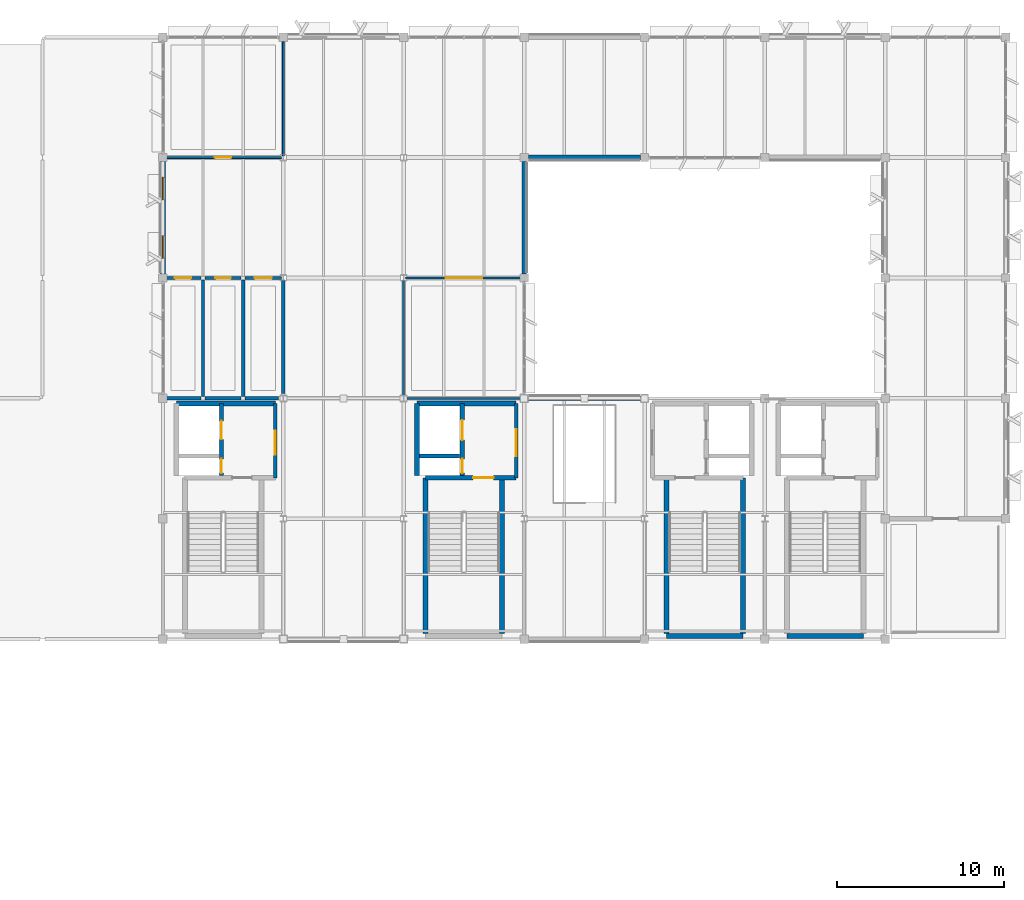
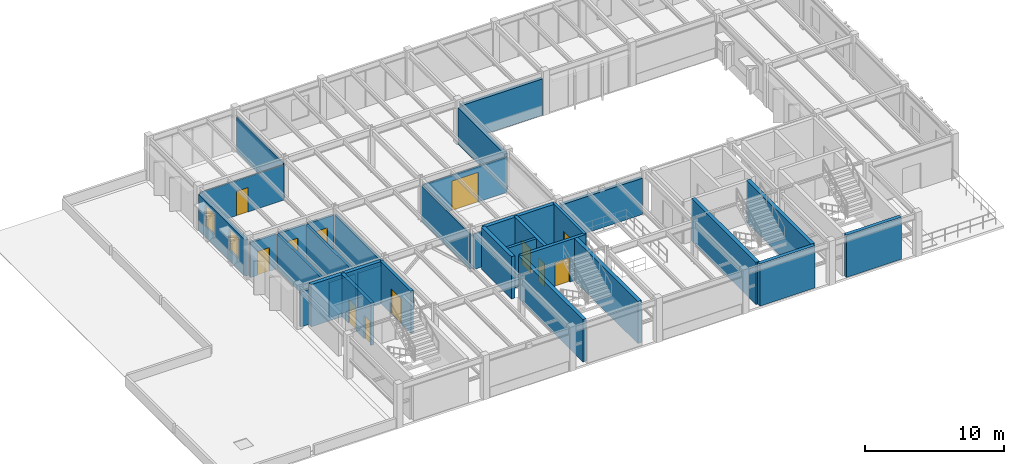
# One storey, part 6 of 23: 33 walls, 12 doors, 2 windows, 14 openings.
"""IFC4 building model written with IfcOpenShell, lengths in metres."""

from ifc_helpers import new_model, si_unit, direction, frame, frame_2d, origin, place, context, subcontext, project, spatial, rectangle, extrude, material, layer, layer_set, type_object, element, fill, save


model = new_model("IFC4")

# Units and contexts
model_context = context("Model", 3, precision=1e-05, world=origin(), true_north=direction((0.0, 1.0)))
body_context = subcontext(model_context, "Body", "Model", "MODEL_VIEW")
ifc_project = project(units=[si_unit("LENGTHUNIT", "METRE"), si_unit("AREAUNIT", "SQUARE_METRE"), si_unit("VOLUMEUNIT", "CUBIC_METRE"), si_unit("PLANEANGLEUNIT", "RADIAN"), si_unit("MASSUNIT", "GRAM", prefix="KILO")], contexts=[model_context])

# Site, building, storey
site_placement = place(None, origin())
site = spatial("IfcSite", under=ifc_project, at=site_placement, CompositionType="ELEMENT")
building_placement = place(site_placement, origin())
building = spatial("IfcBuilding", under=site, at=building_placement, Name="Sillqori Civic Hall", CompositionType="ELEMENT")
storey_placement = place(building_placement, frame((0.0, 0.0, 21.89990234375)))
storey = spatial("IfcBuildingStorey", under=building, at=storey_placement, Name="L06", CompositionType="ELEMENT", Elevation=21.89990234375)

# Wall, opening, door
ifc_material_1 = material(Name="Concrete C35/45 (H35)", Category="concrete")
ifc_layer_1 = layer(ifc_material_1, 0.219970703125)
ifc_layer_set_1 = layer_set([ifc_layer_1], Name="Concrete C35/45 (H35)")
wall_type_1 = type_object("IfcWallType", Name="CW-SHR-220", PredefinedType="SHEAR", material=ifc_layer_set_1)
wall_1_placement = place(storey_placement, frame((57.1201171875, 93.300048828125, 0.0), z_axis=(0.0, 0.0, 1.0), x_axis=(0.0, -1.0, 0.0)))
wall_1 = element("IfcWall", 1, at=wall_1_placement, inside=storey, type_object=wall_type_1, Name="L06 C5 firefighting lobby enclosure wall", PredefinedType="SHEAR", context=body_context, shape_type="SweptSolid", body=[
    extrude(rectangle(XDim=4.449951171875, YDim=0.219970703125, at=frame_2d((2.22509765625, 0.0))), origin(), (0.0, 0.0, 1.0), 3.72021484375),
])
opening_1_placement = place(wall_1_placement, frame((1.625, 0.0, 0.0)))
opening_1 = element("IfcOpeningElement", 2, at=opening_1_placement, cuts=wall_1, Name="Opening FD-03", PredefinedType="OPENING", context=body_context, shape_type="SweptSolid", body=[
    extrude(rectangle(XDim=1.449951171875, YDim=2.199951171875, at=frame_2d((0.72509765625, 1.10009765625))), frame((0.0, 0.119873046875, 0.0), z_axis=(0.0, -1.0, 0.0), x_axis=(1.0, 0.0, 0.0)), (0.0, 0.0, 1.0), 0.239990234375),
])
ifc_material_2 = material(Name="Double-Leaf Smoke-Seal Lobby Door", Category="steel")
door_type_1 = type_object("IfcDoorType", Name="FDR-LOB-145X220", OperationType="NOTDEFINED", PredefinedType="DOOR", material=ifc_material_2)
door_1_placement = place(opening_1_placement, origin())
door_1 = element("IfcDoor", 3, at=door_1_placement, inside=storey, type_object=door_type_1, Name="L06 C5 firefighting lobby exit door", OperationType="DOUBLE_DOOR_SINGLE_SWING", OverallHeight=2.199951171875, OverallWidth=1.449951171875, PredefinedType="DOOR", context=body_context, shape_type="SweptSolid", body=[
    extrude(rectangle(XDim=1.449951171875, YDim=2.199951171875, at=frame_2d((0.72509765625, 1.10009765625))), frame((0.0, 0.02490234375, 0.0), z_axis=(0.0, -1.0, 0.0), x_axis=(1.0, 0.0, 0.0)), (0.0, 0.0, 1.0), 0.050048828125),
])
fill(opening_1, door_1)

# Wall
wall_2_placement = place(storey_placement, frame((65.75, 90.14990234375, 0.0), z_axis=(0.0, 0.0, 1.0), x_axis=(1.0, 0.0, 0.0)))
element("IfcWall", 4, at=wall_2_placement, inside=storey, type_object=wall_type_1, Name="L06 C6 Lift-riser divider wall", PredefinedType="SHEAR", context=body_context, shape_type="SweptSolid", body=[
    extrude(rectangle(XDim=2.39990234375, YDim=0.219970703125, at=frame_2d((1.199951171875, 0.0))), origin(), (0.0, 0.0, 1.0), 3.72021484375),
])

# Wall, opening, door
wall_3_placement = place(storey_placement, frame((71.52001953125, 93.300048828125, 0.0), z_axis=(0.0, 0.0, 1.0), x_axis=(0.0, -1.0, 0.0)))
wall_3 = element("IfcWall", 5, at=wall_3_placement, inside=storey, type_object=wall_type_1, Name="L06 C6 firefighting lobby enclosure wall", PredefinedType="SHEAR", context=body_context, shape_type="SweptSolid", body=[
    extrude(rectangle(XDim=4.449951171875, YDim=0.219970703125, at=frame_2d((2.22509765625, 0.0))), origin(), (0.0, 0.0, 1.0), 3.72021484375),
])
opening_2_placement = place(wall_3_placement, frame((1.550048828125, 0.0, 0.0)))
opening_2 = element("IfcOpeningElement", 6, at=opening_2_placement, cuts=wall_3, Name="Opening FD-04", PredefinedType="OPENING", context=body_context, shape_type="SweptSolid", body=[
    extrude(rectangle(XDim=1.60009765625, YDim=2.199951171875, at=frame_2d((0.800048828125, 1.10009765625))), frame((0.0, 0.119873046875, 0.0), z_axis=(0.0, -1.0, 0.0), x_axis=(1.0, 0.0, 0.0)), (0.0, 0.0, 1.0), 0.239990234375),
])
ifc_material_3 = material(Name="Double-Leaf Firefighting Lobby Door", Category="steel")
door_type_2 = type_object("IfcDoorType", Name="FDR-LOB-160X220", OperationType="NOTDEFINED", PredefinedType="DOOR", material=ifc_material_3)
door_2_placement = place(opening_2_placement, origin())
door_2 = element("IfcDoor", 7, at=door_2_placement, inside=storey, type_object=door_type_2, Name="L06 C6 firefighting lobby exit door", OperationType="DOUBLE_DOOR_SINGLE_SWING", OverallHeight=2.199951171875, OverallWidth=1.60009765625, PredefinedType="DOOR", context=body_context, shape_type="SweptSolid", body=[
    extrude(rectangle(XDim=1.60009765625, YDim=2.199951171875, at=frame_2d((0.800048828125, 1.10009765625))), frame((0.0, 0.02490234375, 0.0), z_axis=(0.0, -1.0, 0.0), x_axis=(1.0, 0.0, 0.0)), (0.0, 0.0, 1.0), 0.050048828125),
])
fill(opening_2, door_2)

# Wall, openings, doors
ifc_layer_2 = layer(ifc_material_1, 0.260009765625)
ifc_layer_set_2 = layer_set([ifc_layer_2], Name="Concrete C35/45 (H35)")
wall_type_2 = type_object("IfcWallType", Name="CW-SHR-260", PredefinedType="SHEAR", material=ifc_layer_set_2)
wall_4_placement = place(storey_placement, frame((53.89990234375, 93.300048828125, 0.0), z_axis=(0.0, 0.0, 1.0), x_axis=(0.0, -1.0, 0.0)))
wall_4 = element("IfcWall", 8, at=wall_4_placement, inside=storey, type_object=wall_type_2, Name="L06 C5 Lift landing & riser front wall", PredefinedType="SHEAR", context=body_context, shape_type="SweptSolid", body=[
    extrude(rectangle(XDim=4.320068359375, YDim=0.260009765625, at=frame_2d((2.16015625, 0.0))), origin(), (0.0, 0.0, 1.0), 3.72021484375),
])
opening_3_placement = place(wall_4_placement, frame((1.050048828125, 0.0, 0.0)))
opening_3 = element("IfcOpeningElement", 9, at=opening_3_placement, cuts=wall_4, Name="Opening LD-01", PredefinedType="OPENING", context=body_context, shape_type="SweptSolid", body=[
    extrude(rectangle(XDim=1.10009765625, YDim=2.14990234375, at=frame_2d((0.550048828125, 1.074951171875))), frame((0.0, 0.139892578125, 0.0), z_axis=(0.0, -1.0, 0.0), x_axis=(1.0, 0.0, 0.0)), (0.0, 0.0, 1.0), 0.280029296875),
])
opening_4_placement = place(wall_4_placement, frame((3.324951171875, 0.0, 0.0)))
opening_4 = element("IfcOpeningElement", 10, at=opening_4_placement, cuts=wall_4, Name="Opening FD-05", PredefinedType="OPENING", context=body_context, shape_type="SweptSolid", body=[
    extrude(rectangle(XDim=0.85009765625, YDim=2.050048828125, at=frame_2d((0.425048828125, 1.02490234375))), frame((0.0, 0.139892578125, 0.0), z_axis=(0.0, -1.0, 0.0), x_axis=(1.0, 0.0, 0.0)), (0.0, 0.0, 1.0), 0.280029296875),
])
ifc_material_4 = material(Name="Steel Riser Access Fire Door", Category="steel")
door_type_3 = type_object("IfcDoorType", Name="FDR-RSR-085X205", OperationType="NOTDEFINED", PredefinedType="DOOR", material=ifc_material_4)
door_3_placement = place(opening_4_placement, origin())
door_3 = element("IfcDoor", 11, at=door_3_placement, inside=storey, type_object=door_type_3, Name="L06 MEP riser C5 fire access door", OperationType="SINGLE_SWING_LEFT", OverallHeight=2.050048828125, OverallWidth=0.85009765625, PredefinedType="DOOR", context=body_context, shape_type="SweptSolid", body=[
    extrude(rectangle(XDim=0.85009765625, YDim=2.050048828125, at=frame_2d((0.425048828125, 1.02490234375))), frame((0.0, 0.02490234375, 0.0), z_axis=(0.0, -1.0, 0.0), x_axis=(1.0, 0.0, 0.0)), (0.0, 0.0, 1.0), 0.050048828125),
])
fill(opening_4, door_3)
ifc_material_5 = material(Name="Stainless Steel Lift Landing Door", Category="steel")
door_type_4 = type_object("IfcDoorType", Name="LDR-PASS-110X215", OperationType="NOTDEFINED", PredefinedType="DOOR", material=ifc_material_5)
door_4_placement = place(opening_3_placement, origin())
door_4 = element("IfcDoor", 12, at=door_4_placement, inside=storey, type_object=door_type_4, Name="L06 lift LF-03 sliding landing door", OperationType="DOUBLE_DOOR_SLIDING", OverallHeight=2.14990234375, OverallWidth=1.10009765625, PredefinedType="DOOR", context=body_context, shape_type="SweptSolid", body=[
    extrude(rectangle(XDim=1.10009765625, YDim=2.14990234375, at=frame_2d((0.550048828125, 1.074951171875))), frame((0.0, 0.02490234375, 0.0), z_axis=(0.0, -1.0, 0.0), x_axis=(1.0, 0.0, 0.0)), (0.0, 0.0, 1.0), 0.050048828125),
])
fill(opening_3, door_4)

# Wall, opening, door
wall_5_placement = place(storey_placement, frame((66.110107421875, 88.85009765625, 0.0), z_axis=(0.0, 0.0, 1.0), x_axis=(1.0, 0.0, 0.0)))
wall_5 = element("IfcWall", 13, at=wall_5_placement, inside=storey, type_object=wall_type_2, Name="L06 C6 Stair-lobby fire wall", PredefinedType="SHEAR", context=body_context, shape_type="SweptSolid", body=[
    extrude(rectangle(XDim=5.409912109375, YDim=0.260009765625, at=frame_2d((2.705078125, 0.0))), origin(), (0.0, 0.0, 1.0), 3.72021484375),
])
opening_5_placement = place(wall_5_placement, frame((2.840087890625, 0.0, 0.0)))
opening_5 = element("IfcOpeningElement", 14, at=opening_5_placement, cuts=wall_5, Name="Opening FD-02", PredefinedType="OPENING", context=body_context, shape_type="SweptSolid", body=[
    extrude(rectangle(XDim=1.219970703125, YDim=2.14990234375, at=frame_2d((0.60986328125, 1.074951171875))), frame((0.0, 0.139892578125, 0.0), z_axis=(0.0, -1.0, 0.0), x_axis=(1.0, 0.0, 0.0)), (0.0, 0.0, 1.0), 0.280029296875),
])
ifc_material_6 = material(Name="Galvanized Steel Fire Door FD120S", Category="steel")
door_type_5 = type_object("IfcDoorType", Name="FDR-STR-122X215", OperationType="NOTDEFINED", PredefinedType="DOOR", material=ifc_material_6)
door_5_placement = place(opening_5_placement, origin())
door_5 = element("IfcDoor", 15, at=door_5_placement, inside=storey, type_object=door_type_5, Name="L06 stair ST-06 fire door", OperationType="SINGLE_SWING_RIGHT", OverallHeight=2.14990234375, OverallWidth=1.219970703125, PredefinedType="DOOR", context=body_context, shape_type="SweptSolid", body=[
    extrude(rectangle(XDim=1.219970703125, YDim=2.14990234375, at=frame_2d((0.60986328125, 1.074951171875))), frame((0.0, 0.02490234375, 0.0), z_axis=(0.0, -1.0, 0.0), x_axis=(1.0, 0.0, 0.0)), (0.0, 0.0, 1.0), 0.050048828125),
])
fill(opening_5, door_5)

# Wall, openings, doors
wall_6_placement = place(storey_placement, frame((68.300048828125, 93.300048828125, 0.0), z_axis=(0.0, 0.0, 1.0), x_axis=(0.0, -1.0, 0.0)))
wall_6 = element("IfcWall", 16, at=wall_6_placement, inside=storey, type_object=wall_type_2, Name="L06 C6 Lift landing & riser front wall", PredefinedType="SHEAR", context=body_context, shape_type="SweptSolid", body=[
    extrude(rectangle(XDim=4.320068359375, YDim=0.260009765625, at=frame_2d((2.16015625, 0.0))), origin(), (0.0, 0.0, 1.0), 3.72021484375),
])
opening_6_placement = place(wall_6_placement, frame((1.0, 0.0, 0.0)))
opening_6 = element("IfcOpeningElement", 17, at=opening_6_placement, cuts=wall_6, Name="Opening LD-02", PredefinedType="OPENING", context=body_context, shape_type="SweptSolid", body=[
    extrude(rectangle(XDim=1.199951171875, YDim=2.14990234375, at=frame_2d((0.60009765625, 1.074951171875))), frame((0.0, 0.139892578125, 0.0), z_axis=(0.0, -1.0, 0.0), x_axis=(1.0, 0.0, 0.0)), (0.0, 0.0, 1.0), 0.280029296875),
])
opening_7_placement = place(wall_6_placement, frame((3.324951171875, 0.0, 0.0)))
opening_7 = element("IfcOpeningElement", 18, at=opening_7_placement, cuts=wall_6, Name="Opening FD-05", PredefinedType="OPENING", context=body_context, shape_type="SweptSolid", body=[
    extrude(rectangle(XDim=0.85009765625, YDim=2.050048828125, at=frame_2d((0.425048828125, 1.02490234375))), frame((0.0, 0.139892578125, 0.0), z_axis=(0.0, -1.0, 0.0), x_axis=(1.0, 0.0, 0.0)), (0.0, 0.0, 1.0), 0.280029296875),
])
door_6_placement = place(opening_7_placement, origin())
door_6 = element("IfcDoor", 19, at=door_6_placement, inside=storey, type_object=door_type_3, Name="L06 MEP riser C6 fire access door", OperationType="SINGLE_SWING_LEFT", OverallHeight=2.050048828125, OverallWidth=0.85009765625, PredefinedType="DOOR", context=body_context, shape_type="SweptSolid", body=[
    extrude(rectangle(XDim=0.85009765625, YDim=2.050048828125, at=frame_2d((0.425048828125, 1.02490234375))), frame((0.0, 0.02490234375, 0.0), z_axis=(0.0, -1.0, 0.0), x_axis=(1.0, 0.0, 0.0)), (0.0, 0.0, 1.0), 0.050048828125),
])
fill(opening_7, door_6)
ifc_material_7 = material(Name="Firefighting Lift Landing Door", Category="steel")
door_type_6 = type_object("IfcDoorType", Name="LDR-FIRE-120X215", OperationType="NOTDEFINED", PredefinedType="DOOR", material=ifc_material_7)
door_7_placement = place(opening_6_placement, origin())
door_7 = element("IfcDoor", 20, at=door_7_placement, inside=storey, type_object=door_type_6, Name="L06 lift LF-01 sliding landing door", OperationType="DOUBLE_DOOR_SLIDING", OverallHeight=2.14990234375, OverallWidth=1.199951171875, PredefinedType="DOOR", context=body_context, shape_type="SweptSolid", body=[
    extrude(rectangle(XDim=1.199951171875, YDim=2.14990234375, at=frame_2d((0.60009765625, 1.074951171875))), frame((0.0, 0.02490234375, 0.0), z_axis=(0.0, -1.0, 0.0), x_axis=(1.0, 0.0, 0.0)), (0.0, 0.0, 1.0), 0.050048828125),
])
fill(opening_6, door_7)

# Walls
ifc_layer_3 = layer(ifc_material_1, 0.300048828125)
ifc_layer_set_3 = layer_set([ifc_layer_3], Name="Concrete C35/45 (H35)")
wall_type_3 = type_object("IfcWallType", Name="CW-SHR-300", PredefinedType="SHEAR", material=ifc_layer_set_3)
wall_7_placement = place(storey_placement, frame((51.199951171875, 93.300048828125, 0.0), z_axis=(0.0, 0.0, 1.0), x_axis=(1.0, 0.0, 0.0)))
element("IfcWall", 21, at=wall_7_placement, inside=storey, type_object=wall_type_3, Name="L06 C5 Core north shear wall", PredefinedType="SHEAR", context=body_context, shape_type="SweptSolid", body=[
    extrude(rectangle(XDim=5.920166015625, YDim=0.300048828125, at=frame_2d((2.9599609375, 0.0))), origin(), (0.0, 0.0, 1.0), 3.72021484375),
])
for number, where, z_axis, x_axis, name in (
    (22, (66.110107421875, 79.550048828125, 0.0), (0.0, 0.0, 1.0), (0.0, 1.0, 0.0), "L06 C6 Stair west shear wall"),
    (23, (70.68994140625, 79.550048828125, 0.0), (0.0, 0.0, 1.0), (0.0, 1.0, 0.0), "L06 C6 Stair east shear wall"),
):
    element("IfcWall", number, at=place(storey_placement, frame(where, z_axis=z_axis, x_axis=x_axis)), inside=storey, type_object=wall_type_3, Name=name, PredefinedType="SHEAR", context=body_context, shape_type="SweptSolid", body=[
        extrude(rectangle(XDim=9.300048828125, YDim=0.300048828125, at=frame_2d((4.64990234375, 0.0))), origin(), (0.0, 0.0, 1.0), 3.72021484375),
    ])
wall_8_placement = place(storey_placement, frame((65.60009765625, 88.97998046875, 0.0), z_axis=(0.0, 0.0, 1.0), x_axis=(0.0, 1.0, 0.0)))
element("IfcWall", 24, at=wall_8_placement, inside=storey, type_object=wall_type_3, Name="L06 C6 Lift shaft west shear wall", PredefinedType="SHEAR", context=body_context, shape_type="SweptSolid", body=[
    extrude(rectangle(XDim=4.320068359375, YDim=0.300048828125, at=frame_2d((2.16015625, 0.0))), origin(), (0.0, 0.0, 1.0), 3.72021484375),
])
wall_9_placement = place(storey_placement, frame((65.60009765625, 93.300048828125, 0.0), z_axis=(0.0, 0.0, 1.0), x_axis=(1.0, 0.0, 0.0)))
element("IfcWall", 25, at=wall_9_placement, inside=storey, type_object=wall_type_3, Name="L06 C6 Core north shear wall", PredefinedType="SHEAR", context=body_context, shape_type="SweptSolid", body=[
    extrude(rectangle(XDim=5.919921875, YDim=0.300048828125, at=frame_2d((2.9599609375, 0.0))), origin(), (0.0, 0.0, 1.0), 3.72021484375),
])
wall_10_placement = place(storey_placement, frame((80.510009765625, 79.39990234375, 0.0), z_axis=(0.0, 0.0, 1.0), x_axis=(1.0, 0.0, 0.0)))
element("IfcWall", 26, at=wall_10_placement, inside=storey, type_object=wall_type_3, Name="L06 C7 Stair south shear wall", PredefinedType="SHEAR", context=body_context, shape_type="SweptSolid", body=[
    extrude(rectangle(XDim=4.580078125, YDim=0.300048828125, at=frame_2d((2.2900390625, 0.0))), origin(), (0.0, 0.0, 1.0), 3.72021484375),
])
for number, where, z_axis, x_axis, name in (
    (27, (80.510009765625, 79.550048828125, 0.0), (0.0, 0.0, 1.0), (0.0, 1.0, 0.0), "L06 C7 Stair west shear wall"),
    (28, (85.090087890625, 79.550048828125, 0.0), (0.0, 0.0, 1.0), (0.0, 1.0, 0.0), "L06 C7 Stair east shear wall"),
):
    element("IfcWall", number, at=place(storey_placement, frame(where, z_axis=z_axis, x_axis=x_axis)), inside=storey, type_object=wall_type_3, Name=name, PredefinedType="SHEAR", context=body_context, shape_type="SweptSolid", body=[
        extrude(rectangle(XDim=9.300048828125, YDim=0.300048828125, at=frame_2d((4.64990234375, 0.0))), origin(), (0.0, 0.0, 1.0), 3.72021484375),
    ])
wall_11_placement = place(storey_placement, frame((87.7099609375, 79.39990234375, 0.0), z_axis=(0.0, 0.0, 1.0), x_axis=(1.0, 0.0, 0.0)))
element("IfcWall", 29, at=wall_11_placement, inside=storey, type_object=wall_type_3, Name="L06 C8 Stair south shear wall", PredefinedType="SHEAR", context=body_context, shape_type="SweptSolid", body=[
    extrude(rectangle(XDim=4.580078125, YDim=0.300048828125, at=frame_2d((2.2900390625, 0.0))), origin(), (0.0, 0.0, 1.0), 3.72021484375),
])

# Wall, openings, windows
ifc_material_8 = material(Name="Precast concrete C40/50 (H40)", Category="concrete")
ifc_layer_4 = layer(ifc_material_8, 0.280029296875)
ifc_layer_set_4 = layer_set([ifc_layer_4], Name="Precast concrete C40/50 (H40)")
wall_type_4 = type_object("IfcWallType", Name="EW-LIME-280", PredefinedType="SOLIDWALL", material=ifc_layer_set_4)
wall_12_placement = place(storey_placement, frame((50.39990234375, 101.050048828125, 0.0), z_axis=(0.0, 0.0, 1.0), x_axis=(0.0, 1.0, 0.0)))
wall_12 = element("IfcWall", 30, at=wall_12_placement, inside=storey, type_object=wall_type_4, Name="L06 V4 exterior wall L06-07-14-W", PredefinedType="SOLIDWALL", context=body_context, shape_type="SweptSolid", body=[
    extrude(rectangle(XDim=6.699951171875, YDim=0.280029296875, at=frame_2d((3.35009765625, 0.0))), origin(), (0.0, 0.0, 1.0), 3.172119140625),
])
opening_8_placement = place(wall_12_placement, frame((0.93310546875, 0.0, 0.949951171875)))
opening_8 = element("IfcOpeningElement", 31, at=opening_8_placement, cuts=wall_12, Name="Opening W-42", PredefinedType="OPENING", context=body_context, shape_type="SweptSolid", body=[
    extrude(rectangle(XDim=1.35009765625, YDim=1.85009765625, at=frame_2d((0.675048828125, 0.925048828125))), frame((0.0, 0.14990234375, 0.0), z_axis=(0.0, -1.0, 0.0), x_axis=(1.0, 0.0, 0.0)), (0.0, 0.0, 1.0), 0.300048828125),
])
opening_9_placement = place(wall_12_placement, frame((4.4169921875, 0.0, 0.949951171875)))
opening_9 = element("IfcOpeningElement", 32, at=opening_9_placement, cuts=wall_12, Name="Opening W-42", PredefinedType="OPENING", context=body_context, shape_type="SweptSolid", body=[
    extrude(rectangle(XDim=1.35009765625, YDim=1.85009765625, at=frame_2d((0.675048828125, 0.925048828125))), frame((0.0, 0.14990234375, 0.0), z_axis=(0.0, -1.0, 0.0), x_axis=(1.0, 0.0, 0.0)), (0.0, 0.0, 1.0), 0.300048828125),
])
ifc_material_9 = material(Name="Thermally Broken Aluminium Low-E Window", Category="aluminium")
window_type = type_object("IfcWindowType", Name="WIN-GD-135X185", PartitioningType="SINGLE_PANEL", PredefinedType="WINDOW", material=ifc_material_9)
window_1_placement = place(opening_8_placement, origin())
window_1 = element("IfcWindow", 33, at=window_1_placement, inside=storey, type_object=window_type, Name="L06 V4 window L06-07-14-W.1", OverallHeight=1.85009765625, OverallWidth=1.35009765625, PartitioningType="SINGLE_PANEL", PredefinedType="WINDOW", context=body_context, shape_type="SweptSolid", body=[
    extrude(rectangle(XDim=1.35009765625, YDim=1.85009765625, at=frame_2d((0.675048828125, 0.925048828125))), frame((0.0, 0.030029296875, 0.0), z_axis=(0.0, -1.0, 0.0), x_axis=(1.0, 0.0, 0.0)), (0.0, 0.0, 1.0), 0.06005859375),
])
fill(opening_8, window_1)
window_2_placement = place(opening_9_placement, origin())
window_2 = element("IfcWindow", 34, at=window_2_placement, inside=storey, type_object=window_type, Name="L06 V4 window L06-07-14-W.2", OverallHeight=1.85009765625, OverallWidth=1.35009765625, PartitioningType="SINGLE_PANEL", PredefinedType="WINDOW", context=body_context, shape_type="SweptSolid", body=[
    extrude(rectangle(XDim=1.35009765625, YDim=1.85009765625, at=frame_2d((0.675048828125, 0.925048828125))), frame((0.0, 0.030029296875, 0.0), z_axis=(0.0, -1.0, 0.0), x_axis=(1.0, 0.0, 0.0)), (0.0, 0.0, 1.0), 0.06005859375),
])
fill(opening_9, window_2)

# Walls
for number, where, z_axis, x_axis, name in (
    (35, (72.0, 107.75, 0.0), (0.0, 0.0, 1.0), (0.0, -1.0, 0.0), "L06 V4 exterior wall L06-09-14-E"),
    (36, (72.25, 93.60009765625, 0.0), (0.0, 0.0, 1.0), (1.0, 0.0, 0.0), "L06 V4 exterior wall L06-10-12-N"),
    (37, (78.949951171875, 108.0, 0.0), (0.0, 0.0, 1.0), (-1.0, 0.0, 0.0), "L06 V4 exterior wall L06-10-15-S"),
):
    element("IfcWall", number, at=place(storey_placement, frame(where, z_axis=z_axis, x_axis=x_axis)), inside=storey, type_object=wall_type_4, Name=name, PredefinedType="SOLIDWALL", context=body_context, shape_type="SweptSolid", body=[
        extrude(rectangle(XDim=6.699951171875, YDim=0.280029296875, at=frame_2d((3.35009765625, 0.0))), origin(), (0.0, 0.0, 1.0), 3.192138671875),
    ])

# Wall, opening, door
ifc_material_10 = material(Name="Acoustic Steel-Stud Partition 116", Category="steel")
ifc_layer_5 = layer(ifc_material_10, 0.115966796875)
ifc_layer_set_5 = layer_set([ifc_layer_5], Name="Acoustic Steel-Stud Partition 116")
wall_type_5 = type_object("IfcWallType", Name="PT-GYP-116", PredefinedType="PARTITIONING", material=ifc_layer_set_5)
wall_13_placement = place(storey_placement, frame((57.47998046875, 108.0, 0.0), z_axis=(0.0, 0.0, 1.0), x_axis=(-1.0, 0.0, 0.0)))
wall_13 = element("IfcWall", 38, at=wall_13_placement, inside=storey, type_object=wall_type_5, Name="Mayoral Executive Office Suite partition S1", PredefinedType="PARTITIONING", context=body_context, shape_type="SweptSolid", body=[
    extrude(rectangle(XDim=6.9599609375, YDim=0.115966796875, at=frame_2d((3.47998046875, 0.0))), origin(), (0.0, 0.0, 1.0), 3.088134765625),
])
opening_10_placement = place(wall_13_placement, frame((2.989990234375, 0.0, 0.0)))
opening_10 = element("IfcOpeningElement", 39, at=opening_10_placement, cuts=wall_13, Name="Opening ID-24", PredefinedType="OPENING", context=body_context, shape_type="SweptSolid", body=[
    extrude(rectangle(XDim=0.97998046875, YDim=2.14990234375, at=frame_2d((0.489990234375, 1.074951171875))), frame((0.0, 0.06787109375, 0.0), z_axis=(0.0, -1.0, 0.0), x_axis=(1.0, 0.0, 0.0)), (0.0, 0.0, 1.0), 0.135986328125),
])
ifc_material_11 = material(Name="Directorate Cedar Door 980", Category="timber")
door_type_7 = type_object("IfcDoorType", Name="IDR-DIR-098X215", OperationType="NOTDEFINED", PredefinedType="DOOR", material=ifc_material_11)
door_8_placement = place(opening_10_placement, origin())
door_8 = element("IfcDoor", 40, at=door_8_placement, inside=storey, type_object=door_type_7, Name="Mayoral Executive Office Suite entrance door", OperationType="SINGLE_SWING_LEFT", OverallHeight=2.14990234375, OverallWidth=0.97998046875, PredefinedType="DOOR", context=body_context, shape_type="SweptSolid", body=[
    extrude(rectangle(XDim=0.97998046875, YDim=2.14990234375, at=frame_2d((0.489990234375, 1.074951171875))), frame((0.0, 0.02490234375, 0.0), z_axis=(0.0, -1.0, 0.0), x_axis=(1.0, 0.0, 0.0)), (0.0, 0.0, 1.0), 0.050048828125),
])
fill(opening_10, door_8)

# Wall
wall_14_placement = place(storey_placement, frame((57.60009765625, 114.919921875, 0.0), z_axis=(0.0, 0.0, 1.0), x_axis=(0.0, -1.0, 0.0)))
element("IfcWall", 41, at=wall_14_placement, inside=storey, type_object=wall_type_5, Name="Mayoral Executive Office Suite partition E2", PredefinedType="PARTITIONING", context=body_context, shape_type="SweptSolid", body=[
    extrude(rectangle(XDim=6.7998046875, YDim=0.115966796875, at=frame_2d((3.39990234375, 0.0))), origin(), (0.0, 0.0, 1.0), 3.088134765625),
])

# Wall, opening, door
ifc_material_12 = material(Name="Acoustic Steel-Stud Partition 120", Category="steel")
ifc_layer_6 = layer(ifc_material_12, 0.1201171875)
ifc_layer_set_6 = layer_set([ifc_layer_6], Name="Acoustic Steel-Stud Partition 120")
wall_type_6 = type_object("IfcWallType", Name="PT-GYP-120", PredefinedType="PARTITIONING", material=ifc_layer_set_6)
wall_15_placement = place(storey_placement, frame((64.919921875, 100.800048828125, 0.0), z_axis=(0.0, 0.0, 1.0), x_axis=(1.0, 0.0, 0.0)))
wall_15 = element("IfcWall", 42, at=wall_15_placement, inside=storey, type_object=wall_type_6, Name="Municipal Cabinet Deliberation Chamber partition N1", PredefinedType="PARTITIONING", context=body_context, shape_type="SweptSolid", body=[
    extrude(rectangle(XDim=6.9599609375, YDim=0.1201171875, at=frame_2d((3.47998046875, 0.0))), origin(), (0.0, 0.0, 1.0), 3.108154296875),
])
opening_11_placement = place(wall_15_placement, frame((2.3798828125, 0.0, 0.0)))
opening_11 = element("IfcOpeningElement", 43, at=opening_11_placement, cuts=wall_15, Name="Opening ID-01", PredefinedType="OPENING", context=body_context, shape_type="SweptSolid", body=[
    extrude(rectangle(XDim=2.199951171875, YDim=2.60009765625, at=frame_2d((1.10009765625, 1.300048828125))), frame((0.0, 0.070068359375, 0.0), z_axis=(0.0, -1.0, 0.0), x_axis=(1.0, 0.0, 0.0)), (0.0, 0.0, 1.0), 0.14013671875),
])
ifc_material_13 = material(Name="Acoustic Andean Cedar Chamber Portal", Category="timber")
door_type_8 = type_object("IfcDoorType", Name="IDR-CHM-220X260", OperationType="NOTDEFINED", PredefinedType="DOOR", material=ifc_material_13)
door_9_placement = place(opening_11_placement, origin())
door_9 = element("IfcDoor", 44, at=door_9_placement, inside=storey, type_object=door_type_8, Name="Municipal Cabinet Deliberation Chamber entrance door", OperationType="DOUBLE_DOOR_SINGLE_SWING", OverallHeight=2.60009765625, OverallWidth=2.199951171875, PredefinedType="DOOR", context=body_context, shape_type="SweptSolid", body=[
    extrude(rectangle(XDim=2.199951171875, YDim=2.60009765625, at=frame_2d((1.10009765625, 1.300048828125))), frame((0.0, 0.02490234375, 0.0), z_axis=(0.0, -1.0, 0.0), x_axis=(1.0, 0.0, 0.0)), (0.0, 0.0, 1.0), 0.050048828125),
])
fill(opening_11, door_9)

# Walls
for number, where, z_axis, x_axis, name in (
    (45, (71.8798828125, 93.60009765625, 0.0), (0.0, 0.0, 1.0), (-1.0, 0.0, 0.0), "Municipal Cabinet Deliberation Chamber partition S2"),
    (46, (64.800048828125, 93.719970703125, 0.0), (0.0, 0.0, 1.0), (0.0, 1.0, 0.0), "Municipal Cabinet Deliberation Chamber partition W3"),
):
    element("IfcWall", number, at=place(storey_placement, frame(where, z_axis=z_axis, x_axis=x_axis)), inside=storey, type_object=wall_type_6, Name=name, PredefinedType="PARTITIONING", context=body_context, shape_type="SweptSolid", body=[
        extrude(rectangle(XDim=6.9599609375, YDim=0.1201171875, at=frame_2d((3.47998046875, 0.0))), origin(), (0.0, 0.0, 1.0), 3.108154296875),
    ])

# Wall, opening, door
ifc_material_14 = material(Name="Concrete C25/30 (H25)", Category="concrete")
ifc_layer_7 = layer(ifc_material_14, 0.18994140625)
ifc_layer_set_7 = layer_set([ifc_layer_7], Name="Concrete C25/30 (H25)")
wall_type_7 = type_object("IfcWallType", Name="PT-MAS-190", PredefinedType="PARTITIONING", material=ifc_layer_set_7)
wall_16_placement = place(storey_placement, frame((50.52001953125, 100.800048828125, 0.0), z_axis=(0.0, 0.0, 1.0), x_axis=(1.0, 0.0, 0.0)))
wall_16 = element("IfcWall", 47, at=wall_16_placement, inside=storey, type_object=wall_type_7, Name="L06 Public Male WC partition N1", PredefinedType="PARTITIONING", context=body_context, shape_type="SweptSolid", body=[
    extrude(rectangle(XDim=2.159912109375, YDim=0.18994140625, at=frame_2d((1.080078125, 0.0))), origin(), (0.0, 0.0, 1.0), 3.088134765625),
])
opening_12_placement = place(wall_16_placement, frame((0.60009765625, 0.0, 0.0)))
opening_12 = element("IfcOpeningElement", 48, at=opening_12_placement, cuts=wall_16, Name="Opening ID-20", PredefinedType="OPENING", context=body_context, shape_type="SweptSolid", body=[
    extrude(rectangle(XDim=0.9599609375, YDim=2.10009765625, at=frame_2d((0.47998046875, 1.050048828125))), frame((0.0, 0.10498046875, 0.0), z_axis=(0.0, -1.0, 0.0), x_axis=(1.0, 0.0, 0.0)), (0.0, 0.0, 1.0), 0.2099609375),
])
ifc_material_15 = material(Name="Moisture-Resistant Sanitary Door 960", Category="timber")
door_type_9 = type_object("IfcDoorType", Name="IDR-WC-096X210", OperationType="NOTDEFINED", PredefinedType="DOOR", material=ifc_material_15)
door_10_placement = place(opening_12_placement, origin())
door_10 = element("IfcDoor", 49, at=door_10_placement, inside=storey, type_object=door_type_9, Name="L06 Public Male WC entrance door", OperationType="SINGLE_SWING_RIGHT", OverallHeight=2.10009765625, OverallWidth=0.9599609375, PredefinedType="DOOR", context=body_context, shape_type="SweptSolid", body=[
    extrude(rectangle(XDim=0.9599609375, YDim=2.10009765625, at=frame_2d((0.47998046875, 1.050048828125))), frame((0.0, 0.02490234375, 0.0), z_axis=(0.0, -1.0, 0.0), x_axis=(1.0, 0.0, 0.0)), (0.0, 0.0, 1.0), 0.050048828125),
])
fill(opening_12, door_10)

# Walls
wall_17_placement = place(storey_placement, frame((52.679931640625, 93.60009765625, 0.0), z_axis=(0.0, 0.0, 1.0), x_axis=(-1.0, 0.0, 0.0)))
element("IfcWall", 50, at=wall_17_placement, inside=storey, type_object=wall_type_7, Name="L06 Public Male WC partition S2", PredefinedType="PARTITIONING", context=body_context, shape_type="SweptSolid", body=[
    extrude(rectangle(XDim=2.159912109375, YDim=0.18994140625, at=frame_2d((1.080078125, 0.0))), origin(), (0.0, 0.0, 1.0), 3.088134765625),
])
wall_18_placement = place(storey_placement, frame((52.800048828125, 100.679931640625, 0.0), z_axis=(0.0, 0.0, 1.0), x_axis=(0.0, -1.0, 0.0)))
element("IfcWall", 51, at=wall_18_placement, inside=storey, type_object=wall_type_7, Name="L06 Public Male WC partition E3", PredefinedType="PARTITIONING", context=body_context, shape_type="SweptSolid", body=[
    extrude(rectangle(XDim=6.9599609375, YDim=0.18994140625, at=frame_2d((3.47998046875, 0.0))), origin(), (0.0, 0.0, 1.0), 3.088134765625),
])

# Wall, opening, door
wall_19_placement = place(storey_placement, frame((52.919921875, 100.800048828125, 0.0), z_axis=(0.0, 0.0, 1.0), x_axis=(1.0, 0.0, 0.0)))
wall_19 = element("IfcWall", 52, at=wall_19_placement, inside=storey, type_object=wall_type_7, Name="L06 Public Female WC partition N1", PredefinedType="PARTITIONING", context=body_context, shape_type="SweptSolid", body=[
    extrude(rectangle(XDim=2.16015625, YDim=0.18994140625, at=frame_2d((1.080078125, 0.0))), origin(), (0.0, 0.0, 1.0), 3.088134765625),
])
opening_13_placement = place(wall_19_placement, frame((0.6201171875, 0.0, 0.0)))
opening_13 = element("IfcOpeningElement", 53, at=opening_13_placement, cuts=wall_19, Name="Opening ID-19", PredefinedType="OPENING", context=body_context, shape_type="SweptSolid", body=[
    extrude(rectangle(XDim=0.919921875, YDim=2.10009765625, at=frame_2d((0.4599609375, 1.050048828125))), frame((0.0, 0.10498046875, 0.0), z_axis=(0.0, -1.0, 0.0), x_axis=(1.0, 0.0, 0.0)), (0.0, 0.0, 1.0), 0.2099609375),
])
ifc_material_16 = material(Name="Moisture-Resistant Sanitary Door 920", Category="timber")
door_type_10 = type_object("IfcDoorType", Name="IDR-WC-092X210", OperationType="NOTDEFINED", PredefinedType="DOOR", material=ifc_material_16)
door_11_placement = place(opening_13_placement, origin())
door_11 = element("IfcDoor", 54, at=door_11_placement, inside=storey, type_object=door_type_10, Name="L06 Public Female WC entrance door", OperationType="SINGLE_SWING_LEFT", OverallHeight=2.10009765625, OverallWidth=0.919921875, PredefinedType="DOOR", context=body_context, shape_type="SweptSolid", body=[
    extrude(rectangle(XDim=0.919921875, YDim=2.10009765625, at=frame_2d((0.4599609375, 1.050048828125))), frame((0.0, 0.02490234375, 0.0), z_axis=(0.0, -1.0, 0.0), x_axis=(1.0, 0.0, 0.0)), (0.0, 0.0, 1.0), 0.050048828125),
])
fill(opening_13, door_11)

# Walls
wall_20_placement = place(storey_placement, frame((55.080078125, 93.60009765625, 0.0), z_axis=(0.0, 0.0, 1.0), x_axis=(-1.0, 0.0, 0.0)))
element("IfcWall", 55, at=wall_20_placement, inside=storey, type_object=wall_type_7, Name="L06 Public Female WC partition S2", PredefinedType="PARTITIONING", context=body_context, shape_type="SweptSolid", body=[
    extrude(rectangle(XDim=2.16015625, YDim=0.18994140625, at=frame_2d((1.080078125, 0.0))), origin(), (0.0, 0.0, 1.0), 3.088134765625),
])
wall_21_placement = place(storey_placement, frame((55.199951171875, 100.679931640625, 0.0), z_axis=(0.0, 0.0, 1.0), x_axis=(0.0, -1.0, 0.0)))
element("IfcWall", 56, at=wall_21_placement, inside=storey, type_object=wall_type_7, Name="L06 Public Female WC partition E4", PredefinedType="PARTITIONING", context=body_context, shape_type="SweptSolid", body=[
    extrude(rectangle(XDim=6.9599609375, YDim=0.18994140625, at=frame_2d((3.47998046875, 0.0))), origin(), (0.0, 0.0, 1.0), 3.088134765625),
])

# Wall, opening, door
wall_22_placement = place(storey_placement, frame((55.320068359375, 100.800048828125, 0.0), z_axis=(0.0, 0.0, 1.0), x_axis=(1.0, 0.0, 0.0)))
wall_22 = element("IfcWall", 57, at=wall_22_placement, inside=storey, type_object=wall_type_7, Name="L06 Accessible WC partition N1", PredefinedType="PARTITIONING", context=body_context, shape_type="SweptSolid", body=[
    extrude(rectangle(XDim=2.159912109375, YDim=0.18994140625, at=frame_2d((1.080078125, 0.0))), origin(), (0.0, 0.0, 1.0), 3.088134765625),
])
opening_14_placement = place(wall_22_placement, frame((0.570068359375, 0.0, 0.0)))
opening_14 = element("IfcOpeningElement", 58, at=opening_14_placement, cuts=wall_22, Name="Opening ID-21", PredefinedType="OPENING", context=body_context, shape_type="SweptSolid", body=[
    extrude(rectangle(XDim=1.02001953125, YDim=2.14990234375, at=frame_2d((0.510009765625, 1.074951171875))), frame((0.0, 0.10498046875, 0.0), z_axis=(0.0, -1.0, 0.0), x_axis=(1.0, 0.0, 0.0)), (0.0, 0.0, 1.0), 0.2099609375),
])
ifc_material_17 = material(Name="Accessible WC Outward-Clear Door", Category="timber")
door_type_11 = type_object("IfcDoorType", Name="IDR-AWC-102X215", OperationType="NOTDEFINED", PredefinedType="DOOR", material=ifc_material_17)
door_12_placement = place(opening_14_placement, origin())
door_12 = element("IfcDoor", 59, at=door_12_placement, inside=storey, type_object=door_type_11, Name="L06 Accessible WC entrance door", OperationType="SINGLE_SWING_RIGHT", OverallHeight=2.14990234375, OverallWidth=1.02001953125, PredefinedType="DOOR", context=body_context, shape_type="SweptSolid", body=[
    extrude(rectangle(XDim=1.02001953125, YDim=2.14990234375, at=frame_2d((0.510009765625, 1.074951171875))), frame((0.0, 0.02490234375, 0.0), z_axis=(0.0, -1.0, 0.0), x_axis=(1.0, 0.0, 0.0)), (0.0, 0.0, 1.0), 0.050048828125),
])
fill(opening_14, door_12)

# Walls
wall_23_placement = place(storey_placement, frame((57.320068359375, 93.60009765625, 0.0), z_axis=(0.0, 0.0, 1.0), x_axis=(-1.0, 0.0, 0.0)))
element("IfcWall", 60, at=wall_23_placement, inside=storey, type_object=wall_type_7, Name="L06 Accessible WC partition S2", PredefinedType="PARTITIONING", context=body_context, shape_type="SweptSolid", body=[
    extrude(rectangle(XDim=2.0, YDim=0.18994140625, at=frame_2d((1.0, 0.0))), origin(), (0.0, 0.0, 1.0), 3.088134765625),
])
wall_24_placement = place(storey_placement, frame((57.60009765625, 100.679931640625, 0.0), z_axis=(0.0, 0.0, 1.0), x_axis=(0.0, -1.0, 0.0)))
element("IfcWall", 61, at=wall_24_placement, inside=storey, type_object=wall_type_7, Name="L06 Accessible WC partition E4", PredefinedType="PARTITIONING", context=body_context, shape_type="SweptSolid", body=[
    extrude(rectangle(XDim=6.800048828125, YDim=0.18994140625, at=frame_2d((3.39990234375, 0.0))), origin(), (0.0, 0.0, 1.0), 3.088134765625),
])

save(model, "model.ifc")
